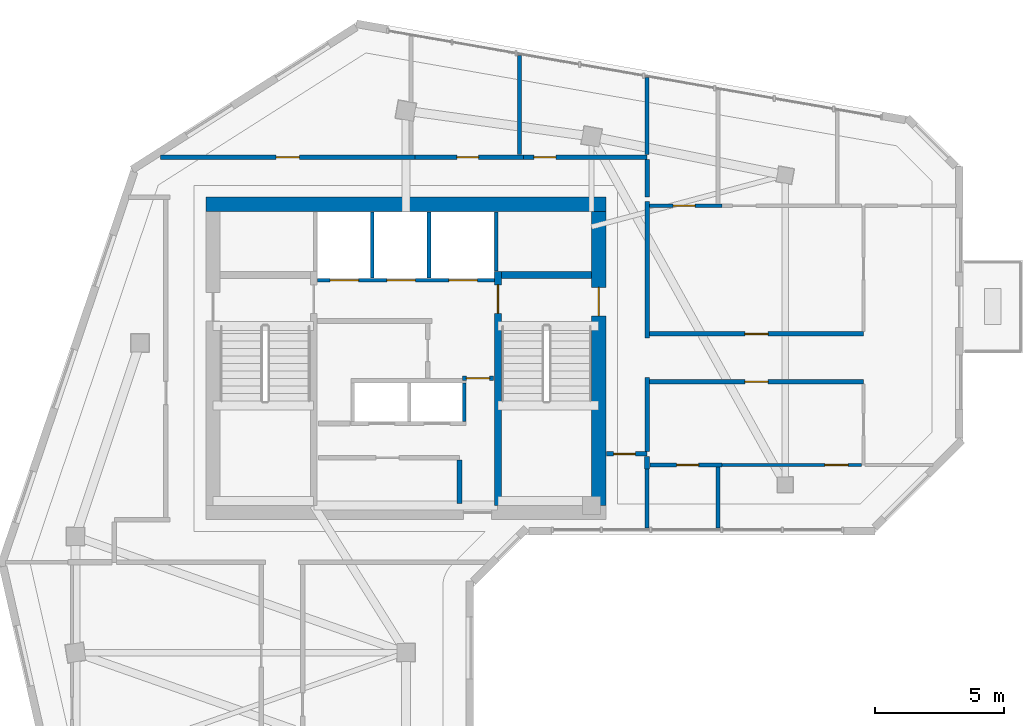
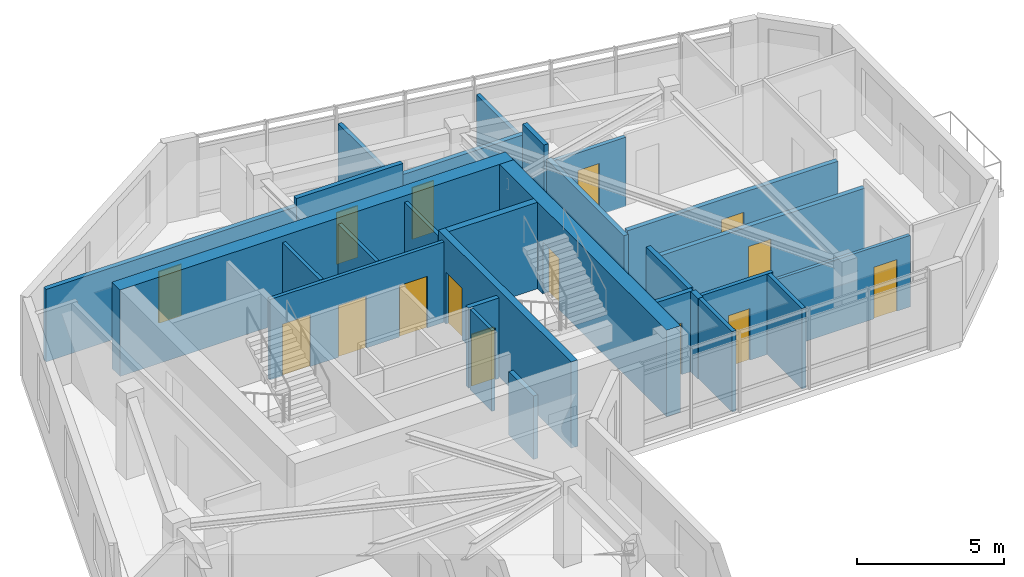
# One storey, part 5 of 9: 28 walls, 15 doors, 15 openings.
"""IFC4 building model written with IfcOpenShell, lengths in metres."""

from ifc_helpers import new_model, si_unit, direction, frame, frame_2d, origin, place, context, subcontext, project, spatial, rectangle, extrude, source, transform, mapped, material, layer, layer_set, type_object, element, fill, save


model = new_model("IFC4")

# Units and contexts
model_context = context("Model", 3, precision=1e-05, world=origin(), true_north=direction((0.0, 1.0)))
body_context = subcontext(model_context, "Body", "Model", "MODEL_VIEW")
ifc_project = project(units=[si_unit("LENGTHUNIT", "METRE"), si_unit("AREAUNIT", "SQUARE_METRE"), si_unit("VOLUMEUNIT", "CUBIC_METRE"), si_unit("PLANEANGLEUNIT", "RADIAN"), si_unit("MASSUNIT", "GRAM", prefix="KILO")], contexts=[model_context])

# Site, building, storey
site_placement = place(None, origin())
site = spatial("IfcSite", under=ifc_project, at=site_placement, CompositionType="ELEMENT")
building_placement = place(site_placement, origin())
building = spatial("IfcBuilding", under=site, at=building_placement, Name="Calvemar Wedge Station Tower", CompositionType="ELEMENT")
storey_placement = place(building_placement, frame((0.0, 0.0, 263.699951171875)))
storey = spatial("IfcBuildingStorey", under=building, at=storey_placement, Name="L67", CompositionType="ELEMENT", Elevation=263.699951171875)

# Wall, opening, door
ifc_material_1 = material(Name="Concrete C50", Category="concrete")
ifc_layer_1 = layer(ifc_material_1, 0.260009765625)
ifc_layer_set_1 = layer_set([ifc_layer_1], Name="Concrete C50")
wall_type_1 = type_object("IfcWallType", Name="SW-CORE-260", PredefinedType="SHEAR", material=ifc_layer_set_1)
wall_1_placement = place(storey_placement, frame((27.3701171875, 34.199951171875, 0.0), z_axis=(0.0, 0.0, 1.0), x_axis=(0.0, 1.0, 0.0)))
wall_1 = element("IfcWall", 1, at=wall_1_placement, inside=storey, type_object=wall_type_1, Name="Storey L67 Core Shear Wall SPINE-E", PredefinedType="SHEAR", context=body_context, shape_type="SweptSolid", body=[
    extrude(rectangle(XDim=9.06005859375, YDim=0.260009765625, at=frame_2d((4.530029296875, 0.0))), origin(), (0.0, 0.0, 1.0), 3.60009765625),
])
shared_shape_1 = source(origin(), body_context, "Body", "SweptSolid", [
    extrude(rectangle(XDim=1.10009765625, YDim=2.14990234375, at=frame_2d((0.550048828125, 1.074951171875))), frame((0.0, 0.14013671875, 0.0), z_axis=(0.0, -1.0, 0.0), x_axis=(1.0, 0.0, 0.0)), (0.0, 0.0, 1.0), 0.280029296875),
])
opening_1_placement = place(wall_1_placement, frame((7.449951171875, 0.0, 0.0)))
opening_1 = element("IfcOpeningElement", 2, at=opening_1_placement, cuts=wall_1, Name="Opening FD-90", PredefinedType="OPENING", context=body_context, shape_type="MappedRepresentation", body=[
    mapped(shared_shape_1, transform((0.0, 0.0, 0.0), scale=1.0)),
])
ifc_material_2 = material(Name="Galvanized fire-rated steel door leaf P-90", Category="steel")
door_type_1 = type_object("IfcDoorType", Name="DR-FD90-1100", OperationType="NOTDEFINED", PredefinedType="DOOR", material=ifc_material_2)
shared_shape_2 = source(origin(), body_context, "Body", "SweptSolid", [
    extrude(rectangle(XDim=1.10009765625, YDim=2.14990234375, at=frame_2d((0.550048828125, 1.074951171875))), frame((0.0, 0.02490234375, 0.0), z_axis=(0.0, -1.0, 0.0), x_axis=(1.0, 0.0, 0.0)), (0.0, 0.0, 1.0), 0.050048828125),
])
door_1_placement = place(opening_1_placement, origin())
door_1 = element("IfcDoor", 3, at=door_1_placement, inside=storey, type_object=door_type_1, Name="L67 FF Lobby to Stair ST-C2 Door", OperationType="SINGLE_SWING_LEFT", OverallHeight=2.14990234375, OverallWidth=1.10009765625, PredefinedType="DOOR", context=body_context, shape_type="MappedRepresentation", body=[
    mapped(shared_shape_2, transform((0.0, 0.0, 0.0), scale=1.0)),
])
fill(opening_1, door_1)

# Walls
wall_2_placement = place(storey_placement, frame((27.5, 43.1298828125, 0.0), z_axis=(0.0, 0.0, 1.0), x_axis=(1.0, 0.0, 0.0)))
element("IfcWall", 4, at=wall_2_placement, inside=storey, type_object=wall_type_1, Name="Storey L67 Core Shear Wall STC2-N", PredefinedType="SHEAR", context=body_context, shape_type="SweptSolid", body=[
    extrude(rectangle(XDim=3.5, YDim=0.260009765625, at=frame_2d((1.75, 0.0))), origin(), (0.0, 0.0, 1.0), 3.60009765625),
])
ifc_material_3 = material(Name="Concrete C60", Category="concrete")
ifc_layer_2 = layer(ifc_material_3, 0.550048828125)
ifc_layer_set_2 = layer_set([ifc_layer_2], Name="Concrete C60")
wall_type_2 = type_object("IfcWallType", Name="SW-CORE-550", PredefinedType="SHEAR", material=ifc_layer_set_2)
wall_3_placement = place(storey_placement, frame((16.050048828125, 45.875, 0.0), z_axis=(0.0, 0.0, 1.0), x_axis=(1.0, 0.0, 0.0)))
element("IfcWall", 5, at=wall_3_placement, inside=storey, type_object=wall_type_2, Name="Storey L67 Core Shear Wall N", PredefinedType="SHEAR", context=body_context, shape_type="SweptSolid", body=[
    extrude(rectangle(XDim=15.5, YDim=0.550048828125, at=frame_2d((7.75, 0.0))), origin(), (0.0, 0.0, 1.0), 3.60009765625),
])

# Wall, opening, door
wall_4_placement = place(storey_placement, frame((31.27490234375, 34.199951171875, 0.0), z_axis=(0.0, 0.0, 1.0), x_axis=(0.0, 1.0, 0.0)))
wall_4 = element("IfcWall", 6, at=wall_4_placement, inside=storey, type_object=wall_type_2, Name="Storey L67 Core Shear Wall E", PredefinedType="SHEAR", context=body_context, shape_type="SweptSolid", body=[
    extrude(rectangle(XDim=11.400146484375, YDim=0.550048828125, at=frame_2d((5.7001953125, 0.0))), origin(), (0.0, 0.0, 1.0), 3.60009765625),
])
shared_shape_3 = source(origin(), body_context, "Body", "SweptSolid", [
    extrude(rectangle(XDim=1.10009765625, YDim=2.14990234375, at=frame_2d((0.550048828125, 1.074951171875))), frame((0.0, 0.28515625, 0.0), z_axis=(0.0, -1.0, 0.0), x_axis=(1.0, 0.0, 0.0)), (0.0, 0.0, 1.0), 0.570068359375),
])
opening_2_placement = place(wall_4_placement, frame((7.35009765625, 0.0, 0.0)))
opening_2 = element("IfcOpeningElement", 7, at=opening_2_placement, cuts=wall_4, Name="Opening FD-90", PredefinedType="OPENING", context=body_context, shape_type="MappedRepresentation", body=[
    mapped(shared_shape_3, transform((0.0, 0.0, 0.0), scale=1.0)),
])
door_2_placement = place(opening_2_placement, origin())
door_2 = element("IfcDoor", 8, at=door_2_placement, inside=storey, type_object=door_type_1, Name="L67 East Corridor to Exit Stair ST-C2 Door", OperationType="SINGLE_SWING_LEFT", OverallHeight=2.14990234375, OverallWidth=1.10009765625, PredefinedType="DOOR", context=body_context, shape_type="MappedRepresentation", body=[
    mapped(shared_shape_2, transform((0.0, 0.0, 0.0), scale=1.0)),
])
fill(opening_2, door_2)

ifc_material_4 = material(Name="Double-stud fire-rated corridor partition")
ifc_layer_3 = layer(ifc_material_4, 0.179931640625)
ifc_layer_set_3 = layer_set([ifc_layer_3], Name="Double-stud fire-rated corridor partition")
wall_type_3 = type_object("IfcWallType", Name="W-CORR-180", PredefinedType="PARTITIONING", material=ifc_layer_set_3)
wall_5_placement = place(storey_placement, frame((27.199951171875, 39.1298828125, 0.0), z_axis=(0.0, 0.0, 1.0), x_axis=(-1.0, 0.0, 0.0)))
wall_5 = element("IfcWall", 9, at=wall_5_placement, inside=storey, type_object=wall_type_3, Name="Storey L67 Interior Partition WL-L67-004", PredefinedType="PARTITIONING", context=body_context, shape_type="SweptSolid", body=[
    extrude(rectangle(XDim=1.2099609375, YDim=0.179931640625, at=frame_2d((0.60498046875, 0.0))), origin(), (0.0, 0.0, 1.0), 3.35009765625),
])
shared_shape_4 = source(origin(), body_context, "Body", "SweptSolid", [
    extrude(rectangle(XDim=0.89990234375, YDim=2.14990234375, at=frame_2d((0.449951171875, 1.074951171875))), frame((0.0, 0.10009765625, 0.0), z_axis=(0.0, -1.0, 0.0), x_axis=(1.0, 0.0, 0.0)), (0.0, 0.0, 1.0), 0.199951171875),
])
opening_3_placement = place(wall_5_placement, frame((0.155029296875, 0.0, 0.0)))
opening_3 = element("IfcOpeningElement", 10, at=opening_3_placement, cuts=wall_5, Name="Opening FD-60", PredefinedType="OPENING", context=body_context, shape_type="MappedRepresentation", body=[
    mapped(shared_shape_4, transform((0.0, 0.0, 0.0), scale=1.0)),
])
ifc_material_5 = material(Name="Fire-rated acoustic timber-core entrance door EI 60", Category="wood")
door_type_2 = type_object("IfcDoorType", Name="DR-FD60-900", OperationType="NOTDEFINED", PredefinedType="DOOR", material=ifc_material_5)
shared_shape_5 = source(origin(), body_context, "Body", "SweptSolid", [
    extrude(rectangle(XDim=0.89990234375, YDim=2.14990234375, at=frame_2d((0.449951171875, 1.074951171875))), frame((0.0, 0.02490234375, 0.0), z_axis=(0.0, -1.0, 0.0), x_axis=(1.0, 0.0, 0.0)), (0.0, 0.0, 1.0), 0.050048828125),
])
door_3_placement = place(opening_3_placement, origin())
door_3 = element("IfcDoor", 11, at=door_3_placement, inside=storey, type_object=door_type_2, Name="L67 Core Service Lobby Door", OperationType="SINGLE_SWING_RIGHT", OverallHeight=2.14990234375, OverallWidth=0.89990234375, PredefinedType="DOOR", context=body_context, shape_type="MappedRepresentation", body=[
    mapped(shared_shape_5, transform((0.0, 0.0, 0.0), scale=1.0)),
])
fill(opening_3, door_3)

# Wall
wall_6_placement = place(storey_placement, frame((25.8798828125, 35.9560546875, 0.0), z_axis=(0.0, 0.0, 1.0), x_axis=(0.0, -1.0, 0.0)))
element("IfcWall", 12, at=wall_6_placement, inside=storey, type_object=wall_type_3, Name="Storey L67 Interior Partition WL-L67-006", PredefinedType="PARTITIONING", context=body_context, shape_type="SweptSolid", body=[
    extrude(rectangle(XDim=1.68603515625, YDim=0.179931640625, at=frame_2d((0.843017578125, 0.0))), origin(), (0.0, 0.0, 1.0), 2.64208984375),
])

# Wall, opening, door
wall_7_placement = place(storey_placement, frame((14.29541015625, 47.699951171875, 0.0), z_axis=(0.0, 0.0, 1.0), x_axis=(1.0, 0.0, 0.0)))
wall_7 = element("IfcWall", 13, at=wall_7_placement, inside=storey, type_object=wall_type_3, Name="Storey L67 Interior Partition WL-L67-014", PredefinedType="PARTITIONING", context=body_context, shape_type="SweptSolid", body=[
    extrude(rectangle(XDim=9.864501953125, YDim=0.179931640625, at=frame_2d((4.93212890625, 0.0))), origin(), (0.0, 0.0, 1.0), 3.01904296875),
])
opening_4_placement = place(wall_7_placement, frame((4.482421875, 0.0, 0.0)))
opening_4 = element("IfcOpeningElement", 14, at=opening_4_placement, cuts=wall_7, Name="Opening D-01", PredefinedType="OPENING", context=body_context, shape_type="MappedRepresentation", body=[
    mapped(shared_shape_4, transform((0.0, 0.0, 0.0), scale=1.0)),
])
ifc_material_6 = material(Name="Architectural hardwood acoustic swing door", Category="wood")
door_type_3 = type_object("IfcDoorType", Name="DR-INT-900", OperationType="NOTDEFINED", PredefinedType="DOOR", material=ifc_material_6)
shared_shape_6 = source(origin(), body_context, "Body", "SweptSolid", [
    extrude(rectangle(XDim=0.89990234375, YDim=2.14990234375, at=frame_2d((0.449951171875, 1.074951171875))), frame((0.0, 0.02490234375, 0.0), z_axis=(0.0, -1.0, 0.0), x_axis=(1.0, 0.0, 0.0)), (0.0, 0.0, 1.0), 0.050048828125),
])
door_4_placement = place(opening_4_placement, origin())
door_4 = element("IfcDoor", 15, at=door_4_placement, inside=storey, type_object=door_type_3, Name="L67 Sky Wine Salon Door", OperationType="SINGLE_SWING_LEFT", OverallHeight=2.14990234375, OverallWidth=0.89990234375, PredefinedType="DOOR", context=body_context, shape_type="MappedRepresentation", body=[
    mapped(shared_shape_6, transform((0.0, 0.0, 0.0), scale=1.0)),
])
fill(opening_4, door_4)

wall_8_placement = place(storey_placement, frame((24.162109375, 47.699951171875, 0.0), z_axis=(0.0, 0.0, 1.0), x_axis=(1.0, 0.0, 0.0)))
wall_8 = element("IfcWall", 16, at=wall_8_placement, inside=storey, type_object=wall_type_3, Name="Storey L67 Interior Partition WL-L67-015", PredefinedType="PARTITIONING", context=body_context, shape_type="SweptSolid", body=[
    extrude(rectangle(XDim=4.197998046875, YDim=0.179931640625, at=frame_2d((2.09912109375, 0.0))), origin(), (0.0, 0.0, 1.0), 3.35009765625),
])
shared_shape_7 = source(origin(), body_context, "Body", "SweptSolid", [
    extrude(rectangle(XDim=0.85009765625, YDim=2.14990234375, at=frame_2d((0.425048828125, 1.074951171875))), frame((0.0, 0.10009765625, 0.0), z_axis=(0.0, -1.0, 0.0), x_axis=(1.0, 0.0, 0.0)), (0.0, 0.0, 1.0), 0.199951171875),
])
opening_5_placement = place(wall_8_placement, frame((1.61328125, 0.0, 0.0)))
opening_5 = element("IfcOpeningElement", 17, at=opening_5_placement, cuts=wall_8, Name="Opening D-02", PredefinedType="OPENING", context=body_context, shape_type="MappedRepresentation", body=[
    mapped(shared_shape_7, transform((0.0, 0.0, 0.0), scale=1.0)),
])
ifc_material_7 = material(Name="Moisture-sealed bathroom hardwood swing door", Category="wood")
door_type_4 = type_object("IfcDoorType", Name="DR-WET-850", OperationType="NOTDEFINED", PredefinedType="DOOR", material=ifc_material_7)
shared_shape_8 = source(origin(), body_context, "Body", "SweptSolid", [
    extrude(rectangle(XDim=0.85009765625, YDim=2.14990234375, at=frame_2d((0.425048828125, 1.074951171875))), frame((0.0, 0.02490234375, 0.0), z_axis=(0.0, -1.0, 0.0), x_axis=(1.0, 0.0, 0.0)), (0.0, 0.0, 1.0), 0.050048828125),
])
door_5_placement = place(opening_5_placement, origin())
door_5 = element("IfcDoor", 18, at=door_5_placement, inside=storey, type_object=door_type_4, Name="L67 Accessible WC Door", OperationType="SINGLE_SWING_RIGHT", OverallHeight=2.14990234375, OverallWidth=0.85009765625, PredefinedType="DOOR", context=body_context, shape_type="MappedRepresentation", body=[
    mapped(shared_shape_8, transform((0.0, 0.0, 0.0), scale=1.0)),
])
fill(opening_5, door_5)

wall_9_placement = place(storey_placement, frame((28.362060546875, 47.699951171875, 0.0), z_axis=(0.0, 0.0, 1.0), x_axis=(1.0, 0.0, 0.0)))
wall_9 = element("IfcWall", 19, at=wall_9_placement, inside=storey, type_object=wall_type_3, Name="Storey L67 Interior Partition WL-L67-016", PredefinedType="PARTITIONING", context=body_context, shape_type="SweptSolid", body=[
    extrude(rectangle(XDim=4.787841796875, YDim=0.179931640625, at=frame_2d((2.39404296875, 0.0))), origin(), (0.0, 0.0, 1.0), 2.879150390625),
])
opening_6_placement = place(wall_9_placement, frame((0.400634765625, 0.0, 0.0)))
opening_6 = element("IfcOpeningElement", 20, at=opening_6_placement, cuts=wall_9, Name="Opening D-02", PredefinedType="OPENING", context=body_context, shape_type="MappedRepresentation", body=[
    mapped(shared_shape_7, transform((0.0, 0.0, 0.0), scale=1.0)),
])
door_6_placement = place(opening_6_placement, origin())
door_6 = element("IfcDoor", 21, at=door_6_placement, inside=storey, type_object=door_type_4, Name="L67 Storage Room Door", OperationType="SINGLE_SWING_LEFT", OverallHeight=2.14990234375, OverallWidth=0.85009765625, PredefinedType="DOOR", context=body_context, shape_type="MappedRepresentation", body=[
    mapped(shared_shape_8, transform((0.0, 0.0, 0.0), scale=1.0)),
])
fill(opening_6, door_6)

# Wall
wall_10_placement = place(storey_placement, frame((33.14990234375, 47.60595703125, 0.0), z_axis=(0.0, 0.0, 1.0), x_axis=(0.0, -1.0, 0.0)))
element("IfcWall", 22, at=wall_10_placement, inside=storey, type_object=wall_type_3, Name="Storey L67 Interior Partition WL-L67-017", PredefinedType="PARTITIONING", context=body_context, shape_type="SweptSolid", body=[
    extrude(rectangle(XDim=1.4560546875, YDim=0.179931640625, at=frame_2d((0.72802734375, 0.0))), origin(), (0.0, 0.0, 1.0), 3.35009765625),
])

# Wall, opening, door
wall_11_placement = place(storey_placement, frame((33.14990234375, 36.199951171875, 0.0), z_axis=(0.0, 0.0, 1.0), x_axis=(-1.0, 0.0, 0.0)))
wall_11 = element("IfcWall", 23, at=wall_11_placement, inside=storey, type_object=wall_type_3, Name="Storey L67 Interior Partition WL-L67-018", PredefinedType="PARTITIONING", context=body_context, shape_type="SweptSolid", body=[
    extrude(rectangle(XDim=1.579833984375, YDim=0.179931640625, at=frame_2d((0.7900390625, 0.0))), origin(), (0.0, 0.0, 1.0), 3.35009765625),
])
opening_7_placement = place(wall_11_placement, frame((0.449951171875, 0.0, 0.0)))
opening_7 = element("IfcOpeningElement", 24, at=opening_7_placement, cuts=wall_11, Name="Opening D-02", PredefinedType="OPENING", context=body_context, shape_type="MappedRepresentation", body=[
    mapped(shared_shape_7, transform((0.0, 0.0, 0.0), scale=1.0)),
])
door_7_placement = place(opening_7_placement, origin())
door_7 = element("IfcDoor", 25, at=door_7_placement, inside=storey, type_object=door_type_4, Name="L67 Pantry Door", OperationType="SINGLE_SWING_RIGHT", OverallHeight=2.14990234375, OverallWidth=0.85009765625, PredefinedType="DOOR", context=body_context, shape_type="MappedRepresentation", body=[
    mapped(shared_shape_8, transform((0.0, 0.0, 0.0), scale=1.0)),
])
fill(opening_7, door_7)

# Walls
wall_12_placement = place(storey_placement, frame((33.14990234375, 45.97509765625, 0.0), z_axis=(0.0, 0.0, 1.0), x_axis=(0.0, -1.0, 0.0)))
element("IfcWall", 26, at=wall_12_placement, inside=storey, type_object=wall_type_3, Name="Storey L67 Interior Partition WL-L67-019", PredefinedType="PARTITIONING", context=body_context, shape_type="SweptSolid", body=[
    extrude(rectangle(XDim=5.28515625, YDim=0.179931640625, at=frame_2d((2.642578125, 0.0))), origin(), (0.0, 0.0, 1.0), 2.879150390625),
])
wall_13_placement = place(storey_placement, frame((33.14990234375, 39.159912109375, 0.0), z_axis=(0.0, 0.0, 1.0), x_axis=(0.0, -1.0, 0.0)))
element("IfcWall", 27, at=wall_13_placement, inside=storey, type_object=wall_type_3, Name="Storey L67 Interior Partition WL-L67-020", PredefinedType="PARTITIONING", context=body_context, shape_type="SweptSolid", body=[
    extrude(rectangle(XDim=2.865966796875, YDim=0.179931640625, at=frame_2d((1.43310546875, 0.0))), origin(), (0.0, 0.0, 1.0), 3.35009765625),
])

# Wall, opening, door
wall_14_placement = place(storey_placement, frame((33.243896484375, 40.85009765625, 0.0), z_axis=(0.0, 0.0, 1.0), x_axis=(1.0, 0.0, 0.0)))
wall_14 = element("IfcWall", 28, at=wall_14_placement, inside=storey, type_object=wall_type_3, Name="Storey L67 Interior Partition WL-L67-026", PredefinedType="PARTITIONING", context=body_context, shape_type="SweptSolid", body=[
    extrude(rectangle(XDim=8.291015625, YDim=0.179931640625, at=frame_2d((4.1455078125, 0.0))), origin(), (0.0, 0.0, 1.0), 2.97900390625),
])
opening_8_placement = place(wall_14_placement, frame((3.695556640625, 0.0, 0.0)))
opening_8 = element("IfcOpeningElement", 29, at=opening_8_placement, cuts=wall_14, Name="Opening FD-60", PredefinedType="OPENING", context=body_context, shape_type="MappedRepresentation", body=[
    mapped(shared_shape_4, transform((0.0, 0.0, 0.0), scale=1.0)),
])
door_8_placement = place(opening_8_placement, origin())
door_8 = element("IfcDoor", 30, at=door_8_placement, inside=storey, type_object=door_type_2, Name="L67 Living Dining Door", OperationType="SINGLE_SWING_LEFT", OverallHeight=2.14990234375, OverallWidth=0.89990234375, PredefinedType="DOOR", context=body_context, shape_type="MappedRepresentation", body=[
    mapped(shared_shape_5, transform((0.0, 0.0, 0.0), scale=1.0)),
])
fill(opening_8, door_8)

wall_15_placement = place(storey_placement, frame((41.534912109375, 39.0, 0.0), z_axis=(0.0, 0.0, 1.0), x_axis=(-1.0, 0.0, 0.0)))
wall_15 = element("IfcWall", 31, at=wall_15_placement, inside=storey, type_object=wall_type_3, Name="Storey L67 Interior Partition WL-L67-027", PredefinedType="PARTITIONING", context=body_context, shape_type="SweptSolid", body=[
    extrude(rectangle(XDim=8.291015625, YDim=0.179931640625, at=frame_2d((4.1455078125, 0.0))), origin(), (0.0, 0.0, 1.0), 2.97900390625),
])
opening_9_placement = place(wall_15_placement, frame((3.695556640625, 0.0, 0.0)))
opening_9 = element("IfcOpeningElement", 32, at=opening_9_placement, cuts=wall_15, Name="Opening FD-60", PredefinedType="OPENING", context=body_context, shape_type="MappedRepresentation", body=[
    mapped(shared_shape_4, transform((0.0, 0.0, 0.0), scale=1.0)),
])
door_9_placement = place(opening_9_placement, origin())
door_9 = element("IfcDoor", 33, at=door_9_placement, inside=storey, type_object=door_type_2, Name="L67 Living Dining Door", OperationType="SINGLE_SWING_RIGHT", OverallHeight=2.14990234375, OverallWidth=0.89990234375, PredefinedType="DOOR", context=body_context, shape_type="MappedRepresentation", body=[
    mapped(shared_shape_5, transform((0.0, 0.0, 0.0), scale=1.0)),
])
fill(opening_9, door_9)

# Wall
ifc_material_8 = material(Name="Twin-stud fire-rated inter-tenancy wall")
ifc_layer_4 = layer(ifc_material_8, 0.199951171875)
ifc_layer_set_4 = layer_set([ifc_layer_4], Name="Twin-stud fire-rated inter-tenancy wall")
wall_type_4 = type_object("IfcWallType", Name="W-DEMISE-200", PredefinedType="PARTITIONING", material=ifc_layer_set_4)
wall_16_placement = place(storey_placement, frame((33.14990234375, 36.10595703125, 0.0), z_axis=(0.0, 0.0, 1.0), x_axis=(0.0, -1.0, 0.0)))
element("IfcWall", 34, at=wall_16_placement, inside=storey, type_object=wall_type_4, Name="Storey L67 Interior Partition WL-L67-028", PredefinedType="PARTITIONING", context=body_context, shape_type="SweptSolid", body=[
    extrude(rectangle(XDim=0.494873046875, YDim=0.199951171875, at=frame_2d((0.24755859375, 0.0))), origin(), (0.0, 0.0, 1.0), 3.35009765625),
])

# Wall, openings, doors
ifc_material_9 = material(Name="Reinforced concrete blockwork lift shaft wall", Category="masonry")
ifc_layer_5 = layer(ifc_material_9, 0.139892578125)
ifc_layer_set_5 = layer_set([ifc_layer_5], Name="Reinforced concrete blockwork lift shaft wall")
wall_type_5 = type_object("IfcWallType", Name="W-LIFT-160", PredefinedType="SOLIDWALL", material=ifc_layer_set_5)
wall_17_placement = place(storey_placement, frame((20.3701171875, 42.929931640625, 0.0), z_axis=(0.0, 0.0, 1.0), x_axis=(1.0, 0.0, 0.0)))
wall_17 = element("IfcWall", 35, at=wall_17_placement, inside=storey, type_object=wall_type_5, Name="Storey L67 Firefighting and Service Lift Shaft Front Wall", PredefinedType="SOLIDWALL", context=body_context, shape_type="SweptSolid", body=[
    extrude(rectangle(XDim=6.85986328125, YDim=0.139892578125, at=frame_2d((3.429931640625, 0.0))), origin(), (0.0, 0.0, 1.0), 3.35009765625),
])
shared_shape_9 = source(origin(), body_context, "Body", "SweptSolid", [
    extrude(rectangle(XDim=1.10009765625, YDim=2.14990234375, at=frame_2d((0.550048828125, 1.074951171875))), frame((0.0, 0.080078125, 0.0), z_axis=(0.0, -1.0, 0.0), x_axis=(1.0, 0.0, 0.0)), (0.0, 0.0, 1.0), 0.159912109375),
])
opening_10_placement = place(wall_17_placement, frame((0.5, 0.0, 0.0)))
opening_10 = element("IfcOpeningElement", 36, at=opening_10_placement, cuts=wall_17, Name="Opening LD-FF", PredefinedType="OPENING", context=body_context, shape_type="MappedRepresentation", body=[
    mapped(shared_shape_9, transform((0.0, 0.0, 0.0), scale=1.0)),
])
opening_11_placement = place(wall_17_placement, frame((2.699951171875, 0.0, 0.0)))
opening_11 = element("IfcOpeningElement", 37, at=opening_11_placement, cuts=wall_17, Name="Opening LD-FF", PredefinedType="OPENING", context=body_context, shape_type="MappedRepresentation", body=[
    mapped(shared_shape_9, transform((0.0, 0.0, 0.0), scale=1.0)),
])
opening_12_placement = place(wall_17_placement, frame((5.10009765625, 0.0, 0.0)))
opening_12 = element("IfcOpeningElement", 38, at=opening_12_placement, cuts=wall_17, Name="Opening LD-STN", PredefinedType="OPENING", context=body_context, shape_type="MappedRepresentation", body=[
    mapped(shared_shape_9, transform((0.0, 0.0, 0.0), scale=1.0)),
])
ifc_material_10 = material(Name="Stainless steel firefighting lift sliding landing door", Category="steel")
door_type_5 = type_object("IfcDoorType", Name="DR-LD-FF-1100", OperationType="SLIDING_TO_LEFT", PredefinedType="DOOR", material=ifc_material_10)
shared_shape_10 = source(origin(), body_context, "Body", "SweptSolid", [
    extrude(rectangle(XDim=1.10009765625, YDim=2.14990234375, at=frame_2d((0.550048828125, 1.074951171875))), frame((0.0, 0.02490234375, 0.0), z_axis=(0.0, -1.0, 0.0), x_axis=(1.0, 0.0, 0.0)), (0.0, 0.0, 1.0), 0.050048828125),
])
door_10_placement = place(opening_10_placement, origin())
door_10 = element("IfcDoor", 39, at=door_10_placement, inside=storey, type_object=door_type_5, Name="L67 Lift FF-01 Sliding Landing Door", OperationType="SLIDING_TO_LEFT", OverallHeight=2.14990234375, OverallWidth=1.10009765625, PredefinedType="DOOR", context=body_context, shape_type="MappedRepresentation", body=[
    mapped(shared_shape_10, transform((0.0, 0.0, 0.0), scale=1.0)),
])
fill(opening_10, door_10)
door_11_placement = place(opening_11_placement, origin())
door_11 = element("IfcDoor", 40, at=door_11_placement, inside=storey, type_object=door_type_5, Name="L67 Lift FF-02 Sliding Landing Door", OperationType="SLIDING_TO_RIGHT", OverallHeight=2.14990234375, OverallWidth=1.10009765625, PredefinedType="DOOR", context=body_context, shape_type="MappedRepresentation", body=[
    mapped(shared_shape_10, transform((0.0, 0.0, 0.0), scale=1.0)),
])
fill(opening_11, door_11)
ifc_material_11 = material(Name="Stainless steel transit lift sliding landing door", Category="steel")
door_type_6 = type_object("IfcDoorType", Name="DR-LD-PAX-1100", OperationType="SLIDING_TO_LEFT", PredefinedType="DOOR", material=ifc_material_11)
shared_shape_11 = source(origin(), body_context, "Body", "SweptSolid", [
    extrude(rectangle(XDim=1.10009765625, YDim=2.14990234375, at=frame_2d((0.550048828125, 1.074951171875))), frame((0.0, 0.02490234375, 0.0), z_axis=(0.0, -1.0, 0.0), x_axis=(1.0, 0.0, 0.0)), (0.0, 0.0, 1.0), 0.050048828125),
])
door_12_placement = place(opening_12_placement, origin())
door_12 = element("IfcDoor", 41, at=door_12_placement, inside=storey, type_object=door_type_6, Name="L67 Lift SV-01 Sliding Landing Door", OperationType="SLIDING_TO_LEFT", OverallHeight=2.14990234375, OverallWidth=1.10009765625, PredefinedType="DOOR", context=body_context, shape_type="MappedRepresentation", body=[
    mapped(shared_shape_11, transform((0.0, 0.0, 0.0), scale=1.0)),
])
fill(opening_12, door_12)

# Walls
wall_18_placement = place(storey_placement, frame((27.31005859375, 43.280029296875, 0.0), z_axis=(0.0, 0.0, 1.0), x_axis=(0.0, 1.0, 0.0)))
element("IfcWall", 42, at=wall_18_placement, inside=storey, type_object=wall_type_5, Name="Storey L67 Firefighting Lift Shaft Enclosure Wall E", PredefinedType="SOLIDWALL", context=body_context, shape_type="SweptSolid", body=[
    extrude(rectangle(XDim=2.300048828125, YDim=0.139892578125, at=frame_2d((1.14990234375, 0.0))), origin(), (0.0, 0.0, 1.0), 3.35009765625),
])
for number, where, z_axis, x_axis, name in (
    (43, (22.5, 43.02001953125, 0.0), (0.0, 0.0, 1.0), (0.0, 1.0, 0.0), "Storey L67 Firefighting Lift Shaft Enclosure Wall D1"),
    (44, (24.699951171875, 43.02001953125, 0.0), (0.0, 0.0, 1.0), (0.0, 1.0, 0.0), "Storey L67 Firefighting Lift Shaft Enclosure Wall D2"),
):
    element("IfcWall", number, at=place(storey_placement, frame(where, z_axis=z_axis, x_axis=x_axis)), inside=storey, type_object=wall_type_5, Name=name, PredefinedType="SOLIDWALL", context=body_context, shape_type="SweptSolid", body=[
        extrude(rectangle(XDim=2.56005859375, YDim=0.139892578125, at=frame_2d((1.280029296875, 0.0))), origin(), (0.0, 0.0, 1.0), 3.35009765625),
    ])
wall_19_placement = place(storey_placement, frame((26.06005859375, 37.4599609375, 0.0), z_axis=(0.0, 0.0, 1.0), x_axis=(0.0, 1.0, 0.0)))
element("IfcWall", 45, at=wall_19_placement, inside=storey, type_object=wall_type_5, Name="Storey L67 Upper Passenger Lift Shaft Wall E", PredefinedType="SOLIDWALL", context=body_context, shape_type="SweptSolid", body=[
    extrude(rectangle(XDim=1.47998046875, YDim=0.139892578125, at=frame_2d((0.739990234375, 0.0))), origin(), (0.0, 0.0, 1.0), 3.35009765625),
])

# Wall, opening, door
ifc_material_12 = material(Name="Insulated acoustic gypsum stud partition")
ifc_layer_6 = layer(ifc_material_12, 0.125)
ifc_layer_set_6 = layer_set([ifc_layer_6], Name="Insulated acoustic gypsum stud partition")
wall_type_6 = type_object("IfcWallType", Name="W-PART-125", PredefinedType="PARTITIONING", material=ifc_layer_set_6)
wall_20_placement = place(storey_placement, frame((41.468505859375, 35.77099609375, 0.0), z_axis=(0.0, 0.0, 1.0), x_axis=(-1.0, 0.0, 0.0)))
wall_20 = element("IfcWall", 46, at=wall_20_placement, inside=storey, type_object=wall_type_6, Name="Storey L67 Interior Partition WL-L67-039", PredefinedType="PARTITIONING", context=body_context, shape_type="SweptSolid", body=[
    extrude(rectangle(XDim=5.406494140625, YDim=0.125, at=frame_2d((2.703125, 0.0))), origin(), (0.0, 0.0, 1.0), 2.97900390625),
])
shared_shape_12 = source(origin(), body_context, "Body", "SweptSolid", [
    extrude(rectangle(XDim=0.89990234375, YDim=2.14990234375, at=frame_2d((0.449951171875, 1.074951171875))), frame((0.0, 0.072509765625, 0.0), z_axis=(0.0, -1.0, 0.0), x_axis=(1.0, 0.0, 0.0)), (0.0, 0.0, 1.0), 0.14501953125),
])
opening_13_placement = place(wall_20_placement, frame((0.526611328125, 0.0, 0.0)))
opening_13 = element("IfcOpeningElement", 47, at=opening_13_placement, cuts=wall_20, Name="Opening D-01", PredefinedType="OPENING", context=body_context, shape_type="MappedRepresentation", body=[
    mapped(shared_shape_12, transform((0.0, 0.0, 0.0), scale=1.0)),
])
door_13_placement = place(opening_13_placement, origin())
door_13 = element("IfcDoor", 48, at=door_13_placement, inside=storey, type_object=door_type_3, Name="L67 Master Bedroom Door", OperationType="SINGLE_SWING_LEFT", OverallHeight=2.14990234375, OverallWidth=0.89990234375, PredefinedType="DOOR", context=body_context, shape_type="MappedRepresentation", body=[
    mapped(shared_shape_6, transform((0.0, 0.0, 0.0), scale=1.0)),
])
fill(opening_13, door_13)

# Walls
ifc_material_13 = material(Name="Moisture-resistant acoustic bathroom partition")
ifc_layer_7 = layer(ifc_material_13, 0.14990234375)
ifc_layer_set_7 = layer_set([ifc_layer_7], Name="Moisture-resistant acoustic bathroom partition")
wall_type_7 = type_object("IfcWallType", Name="W-WET-150", PredefinedType="PARTITIONING", material=ifc_layer_set_7)
wall_21_placement = place(storey_placement, frame((28.199951171875, 51.646240234375, 0.0), z_axis=(0.0, 0.0, 1.0), x_axis=(0.0, -1.0, 0.0)))
element("IfcWall", 49, at=wall_21_placement, inside=storey, type_object=wall_type_7, Name="Storey L67 Interior Partition WL-L67-024", PredefinedType="PARTITIONING", context=body_context, shape_type="SweptSolid", body=[
    extrude(rectangle(XDim=3.852294921875, YDim=0.14990234375, at=frame_2d((1.92626953125, 0.0))), origin(), (0.0, 0.0, 1.0), 2.64208984375),
])
wall_22_placement = place(storey_placement, frame((33.14990234375, 50.7802734375, 0.0), z_axis=(0.0, 0.0, 1.0), x_axis=(0.0, -1.0, 0.0)))
element("IfcWall", 50, at=wall_22_placement, inside=storey, type_object=wall_type_7, Name="Storey L67 Interior Partition WL-L67-025", PredefinedType="PARTITIONING", context=body_context, shape_type="SweptSolid", body=[
    extrude(rectangle(XDim=2.986328125, YDim=0.14990234375, at=frame_2d((1.4931640625, 0.0))), origin(), (0.0, 0.0, 1.0), 2.64208984375),
])
wall_23_placement = place(storey_placement, frame((33.14990234375, 35.60888671875, 0.0), z_axis=(0.0, 0.0, 1.0), x_axis=(0.0, -1.0, 0.0)))
element("IfcWall", 51, at=wall_23_placement, inside=storey, type_object=wall_type_7, Name="Storey L67 Interior Partition WL-L67-029", PredefinedType="PARTITIONING", context=body_context, shape_type="SweptSolid", body=[
    extrude(rectangle(XDim=2.287841796875, YDim=0.14990234375, at=frame_2d((1.14404296875, 0.0))), origin(), (0.0, 0.0, 1.0), 3.35009765625),
])

# Wall, opening, door
wall_24_placement = place(storey_placement, frame((33.243896484375, 45.81494140625, 0.0), z_axis=(0.0, 0.0, 1.0), x_axis=(1.0, 0.0, 0.0)))
wall_24 = element("IfcWall", 52, at=wall_24_placement, inside=storey, type_object=wall_type_7, Name="Storey L67 Interior Partition WL-L67-031", PredefinedType="PARTITIONING", context=body_context, shape_type="SweptSolid", body=[
    extrude(rectangle(XDim=2.816162109375, YDim=0.14990234375, at=frame_2d((1.408203125, 0.0))), origin(), (0.0, 0.0, 1.0), 2.879150390625),
])
shared_shape_13 = source(origin(), body_context, "Body", "SweptSolid", [
    extrude(rectangle(XDim=0.85009765625, YDim=2.14990234375, at=frame_2d((0.425048828125, 1.074951171875))), frame((0.0, 0.0849609375, 0.0), z_axis=(0.0, -1.0, 0.0), x_axis=(1.0, 0.0, 0.0)), (0.0, 0.0, 1.0), 0.169921875),
])
opening_14_placement = place(wall_24_placement, frame((0.919189453125, 0.0, 0.0)))
opening_14 = element("IfcOpeningElement", 53, at=opening_14_placement, cuts=wall_24, Name="Opening D-02", PredefinedType="OPENING", context=body_context, shape_type="MappedRepresentation", body=[
    mapped(shared_shape_13, transform((0.0, 0.0, 0.0), scale=1.0)),
])
door_14_placement = place(opening_14_placement, origin())
door_14 = element("IfcDoor", 54, at=door_14_placement, inside=storey, type_object=door_type_4, Name="L67 Bathroom Door", OperationType="SINGLE_SWING_LEFT", OverallHeight=2.14990234375, OverallWidth=0.85009765625, PredefinedType="DOOR", context=body_context, shape_type="MappedRepresentation", body=[
    mapped(shared_shape_8, transform((0.0, 0.0, 0.0), scale=1.0)),
])
fill(opening_14, door_14)

wall_25_placement = place(storey_placement, frame((36.06005859375, 35.77099609375, 0.0), z_axis=(0.0, 0.0, 1.0), x_axis=(-1.0, 0.0, 0.0)))
wall_25 = element("IfcWall", 55, at=wall_25_placement, inside=storey, type_object=wall_type_7, Name="Storey L67 Interior Partition WL-L67-038", PredefinedType="PARTITIONING", context=body_context, shape_type="SweptSolid", body=[
    extrude(rectangle(XDim=2.80615234375, YDim=0.14990234375, at=frame_2d((1.403076171875, 0.0))), origin(), (0.0, 0.0, 1.0), 3.35009765625),
])
opening_15_placement = place(wall_25_placement, frame((0.91455078125, 0.0, 0.0)))
opening_15 = element("IfcOpeningElement", 56, at=opening_15_placement, cuts=wall_25, Name="Opening D-02", PredefinedType="OPENING", context=body_context, shape_type="MappedRepresentation", body=[
    mapped(shared_shape_13, transform((0.0, 0.0, 0.0), scale=1.0)),
])
door_15_placement = place(opening_15_placement, origin())
door_15 = element("IfcDoor", 57, at=door_15_placement, inside=storey, type_object=door_type_4, Name="L67 Bathroom Door", OperationType="SINGLE_SWING_RIGHT", OverallHeight=2.14990234375, OverallWidth=0.85009765625, PredefinedType="DOOR", context=body_context, shape_type="MappedRepresentation", body=[
    mapped(shared_shape_8, transform((0.0, 0.0, 0.0), scale=1.0)),
])
fill(opening_15, door_15)

# Wall
wall_26_placement = place(storey_placement, frame((35.89990234375, 35.69189453125, 0.0), z_axis=(0.0, 0.0, 1.0), x_axis=(0.0, -1.0, 0.0)))
element("IfcWall", 58, at=wall_26_placement, inside=storey, type_object=wall_type_7, Name="Storey L67 Interior Partition WL-L67-041", PredefinedType="PARTITIONING", context=body_context, shape_type="SweptSolid", body=[
    extrude(rectangle(XDim=2.370849609375, YDim=0.14990234375, at=frame_2d((1.185546875, 0.0))), origin(), (0.0, 0.0, 1.0), 3.35009765625),
])

save(model, "model.ifc")
